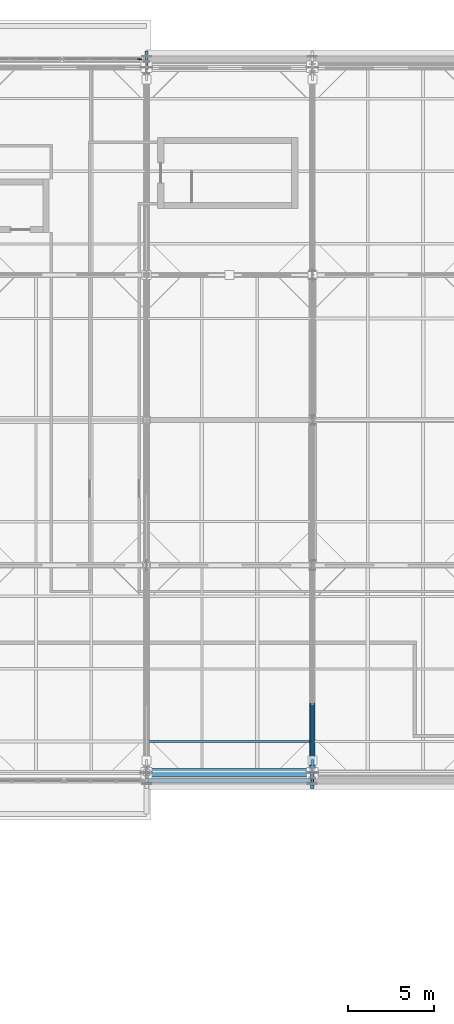
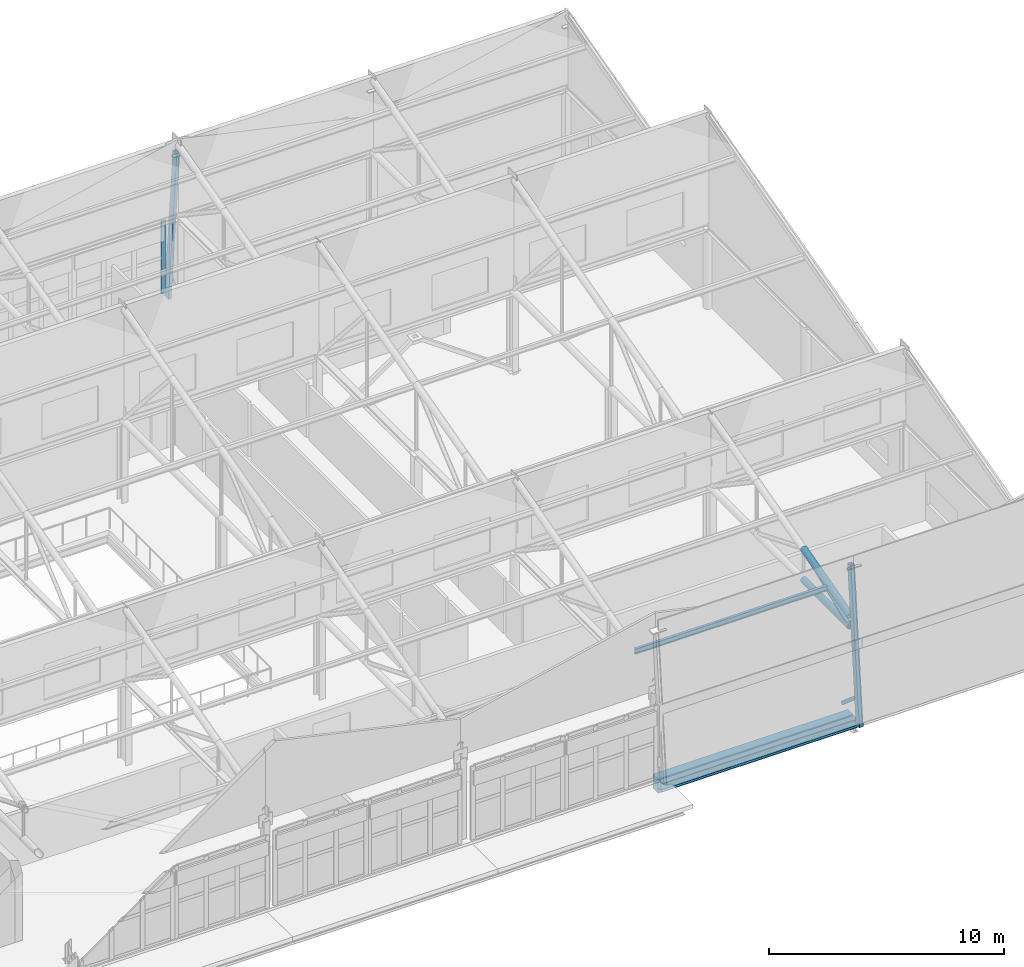
# One storey, part 44 of 89: 8 members, 2 beams, 1 element without a shape of its own.
"""IFC4 building model written with IfcOpenShell, lengths in metres."""

import ifcopenshell
import ifcopenshell.guid

model = None  # the IFC model being written
_history = None  # IfcOwnerHistory: only IFC2X3 demands one
_inside = {}  # id of a spatial element -> (the spatial element, [elements in it])
_under = {}  # id of a project, library or spatial element -> (it, [spatial elements below it])
_declared = {}  # id of a project -> (the project, [libraries it declares])
_typed = {}  # id of a type object -> (the type object, [elements of that type])
_made_of = {}  # id of a material, layer set ... -> (it, [elements and type objects made of it])


def new_model(schema):
    """Start an empty IFC model of exactly this schema.

    Asked for "IFC4X3", IfcOpenShell would pick the latest addendum, in which some entities
    have other attributes; the version numbers below select the first issue.
    IFC2X3 requires an IfcOwnerHistory on every rooted entity: one is made here for all.
    """
    global model, _history
    if schema == "IFC4X3":
        model = ifcopenshell.file(schema_version=(4, 3, 0, 0))
    else:
        model = ifcopenshell.file(schema=schema)
    _inside.clear()
    _under.clear()
    _declared.clear()
    _typed.clear()
    _made_of.clear()
    _history = None
    if model.schema == "IFC2X3":
        org = make("IfcOrganization", Name="unknown")
        user = make(
            "IfcPersonAndOrganization",
            ThePerson=make("IfcPerson", FamilyName="unknown"),
            TheOrganization=org,
        )
        app = make(
            "IfcApplication",
            ApplicationDeveloper=org,
            Version="unknown",
            ApplicationFullName="unknown",
            ApplicationIdentifier="unknown",
        )
        _history = make(
            "IfcOwnerHistory",
            OwningUser=user,
            OwningApplication=app,
            ChangeAction="ADDED",
            CreationDate=0,
        )
    return model


def make(cls, **values):
    """One entity of the class cls with the attributes given. An attribute that is None is left unset."""
    return model.create_entity(
        cls, **{name: value for name, value in values.items() if value is not None}
    )


def rooted(cls, **values):
    """An entity with a GlobalId (a new one), such as an element, a storey or a relation."""
    return make(cls, GlobalId=ifcopenshell.guid.new(), OwnerHistory=_history, **values)


def si_unit(unit_type, name, prefix=None):
    """IfcSIUnit, for example si_unit("LENGTHUNIT", "METRE", prefix="MILLI")."""
    return make("IfcSIUnit", UnitType=unit_type, Prefix=prefix, Name=name)


def assignment(units):
    """IfcUnitAssignment: the units of a project."""
    return None if units is None else make("IfcUnitAssignment", Units=units)


def point(xyz):
    """IfcCartesianPoint."""
    return None if xyz is None else make("IfcCartesianPoint", Coordinates=xyz)


def direction(xyz):
    """IfcDirection."""
    return None if xyz is None else make("IfcDirection", DirectionRatios=xyz)


def frame(location, z_axis=None, x_axis=None):
    """IfcAxis2Placement3D, a coordinate frame: its origin and axes. An axis left out is left unset."""
    return make(
        "IfcAxis2Placement3D",
        Location=point(location),
        Axis=direction(z_axis),
        RefDirection=direction(x_axis),
    )


def frame_2d(location, x_axis=None):
    """IfcAxis2Placement2D, a coordinate frame in the plane: its origin and x axis."""
    return make(
        "IfcAxis2Placement2D", Location=point(location), RefDirection=direction(x_axis)
    )


def origin():
    """The frame at (0, 0, 0) with its axes left unset."""
    return frame((0.0, 0.0, 0.0))


def origin_2d():
    """The frame at (0, 0) in the plane with its x axis left unset."""
    return frame_2d((0.0, 0.0))


def place(relative_to, where):
    """IfcLocalPlacement: puts the frame where relative to a parent placement (None: the world)."""
    return make(
        "IfcLocalPlacement", PlacementRelTo=relative_to, RelativePlacement=where
    )


def context(
    kind, dimensions, precision=None, world=None, true_north=None, identifier=None
):
    """IfcGeometricRepresentationContext, for example the 3D "Model" context."""
    return make(
        "IfcGeometricRepresentationContext",
        ContextIdentifier=identifier,
        ContextType=kind,
        CoordinateSpaceDimension=dimensions,
        Precision=precision,
        WorldCoordinateSystem=world,
        TrueNorth=true_north,
    )


def subcontext(parent, identifier, kind, view, scale=None):
    """IfcGeometricRepresentationSubContext, for example "Body" below "Model"."""
    return make(
        "IfcGeometricRepresentationSubContext",
        ContextIdentifier=identifier,
        ContextType=kind,
        ParentContext=parent,
        TargetScale=scale,
        TargetView=view,
    )


def project(units=None, contexts=None):
    """IfcProject with its units and contexts."""
    return rooted(
        "IfcProject",
        Name="project",
        RepresentationContexts=contexts,
        UnitsInContext=assignment(units),
    )


def spatial(cls, under=None, at=None, **own):
    """A site, building, storey or space (cls), placed at a placement, below another one or the project."""
    s = rooted(cls, ObjectPlacement=at, **own)
    if under is not None:
        _under.setdefault(under.id(), (under, []))[1].append(s)
    return s


def profile(cls, at=None, kind="AREA", **sizes):
    """A parametric profile (cls). Its sizes go by their IFC names, for example OverallWidth=200.0."""
    return make(cls, ProfileType=kind, Position=at, **sizes)


def rectangle(**sizes):
    """IfcRectangleProfileDef."""
    return profile("IfcRectangleProfileDef", **sizes)


def hollow_rectangle(**sizes):
    """IfcRectangleHollowProfileDef."""
    return profile("IfcRectangleHollowProfileDef", **sizes)


def hollow_circle(**sizes):
    """IfcCircleHollowProfileDef."""
    return profile("IfcCircleHollowProfileDef", **sizes)


def i_section(**sizes):
    """IfcIShapeProfileDef."""
    return profile("IfcIShapeProfileDef", **sizes)


def extrude(swept, where, along, depth):
    """IfcExtrudedAreaSolid: the profile swept, set in the frame where, extruded along a direction by depth."""
    return make(
        "IfcExtrudedAreaSolid",
        SweptArea=swept,
        Position=where,
        ExtrudedDirection=direction(along),
        Depth=depth,
    )


def shape(context_of_items, identifier, shape_type, items):
    """IfcShapeRepresentation: the items that make up one representation, for example the "Body"."""
    return make(
        "IfcShapeRepresentation",
        ContextOfItems=context_of_items,
        RepresentationIdentifier=identifier,
        RepresentationType=shape_type,
        Items=items,
    )


def material(Name=None, Category=None):
    """IfcMaterial."""
    return make("IfcMaterial", Name=Name, Category=Category)


def layer(
    of_material, thickness, ventilated=None, Name=None, Category=None, Priority=None
):
    """IfcMaterialLayer: one layer of a wall or slab, of a material (None: an air gap)."""
    return make(
        "IfcMaterialLayer",
        Material=of_material,
        LayerThickness=thickness,
        IsVentilated=ventilated,
        Name=Name,
        Category=Category,
        Priority=Priority,
    )


def layer_set(layers, Name=None):
    """IfcMaterialLayerSet."""
    return make("IfcMaterialLayerSet", MaterialLayers=layers, LayerSetName=Name)


def material_profile(
    of_material, cross_section, Name=None, Category=None, Priority=None
):
    """IfcMaterialProfile: a cross section and its material."""
    return make(
        "IfcMaterialProfile",
        Name=Name,
        Material=of_material,
        Profile=cross_section,
        Priority=Priority,
        Category=Category,
    )


def profile_set(profiles, Name=None, composite=None):
    """IfcMaterialProfileSet."""
    return make(
        "IfcMaterialProfileSet",
        Name=Name,
        MaterialProfiles=profiles,
        CompositeProfile=composite,
    )


def made_of(thing, what):
    """Note that an element or type object is made of a material, layer set ...; save() writes the relation."""
    if what is not None:
        _made_of.setdefault(what.id(), (what, []))[1].append(thing)
    return thing


def type_object(cls, material=None, **own):
    """A type object (cls), such as IfcWallType, which elements share."""
    return made_of(rooted(cls, **own), material)


def element(
    cls,
    number,
    at=None,
    inside=None,
    cuts=None,
    type_object=None,
    material=None,
    context=None,
    identifier="Body",
    shape_type=None,
    held_by="IfcProductDefinitionShape",
    body=None,
    shapes=None,
    **own,
):
    """One element of the class cls, such as IfcWall. Its Tag is "e" and its number.

    at: its placement. inside: the storey or other place that contains it. cuts: it is an
    opening in that element (IfcRelVoidsElement). A single representation is given by context,
    identifier, shape_type and body (its items); several are given by shapes. held_by: the class
    of the entity that holds the representations. save() writes the other relations.
    """
    e = rooted(cls, Tag="e%d" % number, ObjectPlacement=at, **own)
    if body is not None:
        shapes = [shape(context, identifier, shape_type, body)]
    if shapes is not None:
        e.Representation = make(held_by, Representations=shapes)
    if inside is not None:
        _inside.setdefault(inside.id(), (inside, []))[1].append(e)
    if cuts is not None:
        rooted(
            "IfcRelVoidsElement", RelatingBuildingElement=cuts, RelatedOpeningElement=e
        )
    if type_object is not None:
        _typed.setdefault(type_object.id(), (type_object, []))[1].append(e)
    return made_of(e, material)


def aggregate(whole, parts):
    """IfcRelAggregates: a whole, such as a stair, and the parts it consists of."""
    return rooted("IfcRelAggregates", RelatingObject=whole, RelatedObjects=parts)


def save(model, path):
    """Write the relations noted so far, then the file.

    IfcRelAggregates (storeys below a building ...), IfcRelContainedInSpatialStructure (elements
    in a storey), IfcRelDefinesByType, IfcRelAssociatesMaterial and IfcRelDeclares: one each for
    every whole, place, type object, material and project.
    """
    for whole, parts in _under.values():
        aggregate(whole, parts)
    for where, things in _inside.values():
        rooted(
            "IfcRelContainedInSpatialStructure",
            RelatedElements=things,
            RelatingStructure=where,
        )
    for kind, things in _typed.values():
        rooted("IfcRelDefinesByType", RelatedObjects=things, RelatingType=kind)
    for what, things in _made_of.values():
        rooted("IfcRelAssociatesMaterial", RelatedObjects=things, RelatingMaterial=what)
    for by, libraries in _declared.values():
        rooted("IfcRelDeclares", RelatingContext=by, RelatedDefinitions=libraries)
    model.write(path)


model = new_model("IFC4")

# Units and contexts
model_context = context("Model", 3, precision=1e-05, world=origin(), true_north=direction((0.0, 1.0)))
body_context = subcontext(model_context, "Body", "Model", "MODEL_VIEW")
ifc_project = project(units=[si_unit("LENGTHUNIT", "METRE"), si_unit("AREAUNIT", "SQUARE_METRE"), si_unit("VOLUMEUNIT", "CUBIC_METRE"), si_unit("PLANEANGLEUNIT", "RADIAN"), si_unit("MASSUNIT", "GRAM", prefix="KILO")], contexts=[model_context])

# Site, building, storey
site_placement = place(None, origin())
site = spatial("IfcSite", under=ifc_project, at=site_placement, CompositionType="ELEMENT")
building_placement = place(site_placement, origin())
building = spatial("IfcBuilding", under=site, at=building_placement, Name="Zereglee Splitstone Museum", CompositionType="ELEMENT")
storey_placement = place(building_placement, frame((0.0, 0.0, 21.300048828125)))
storey = spatial("IfcBuildingStorey", under=building, at=storey_placement, Name="L04", CompositionType="ELEMENT", Elevation=21.300048828125)

# Member
ifc_material_1 = material(Name="Steel S355J2H", Category="steel")
ifc_material_profile_1 = material_profile(ifc_material_1, hollow_circle(Radius=0.109619140625, WallThickness=0.010009765625, at=origin_2d()), Name="CHS 219.1x10")
ifc_profile_set_1 = profile_set([ifc_material_profile_1], Name="Steel S355J2H")
member_type_1 = type_object("IfcMemberType", Name="TB-03", PredefinedType="BRACE", material=ifc_profile_set_1)
member_1_placement = place(storey_placement, frame((135.60009765625, 9.60009765625, 4.199951171875), z_axis=(0.0, 0.927136001435, 0.374725012299), x_axis=(-1.0, 0.0, 0.0)))
element("IfcMember", 1, at=member_1_placement, inside=storey, type_object=member_type_1, Name="Roof Truss ST-07 Diagonal 1.1", PredefinedType="BRACE", context=body_context, shape_type="SweptSolid", body=[
    extrude(hollow_circle(Radius=0.109619140625, WallThickness=0.010009765625, at=origin_2d()), origin(), (0.0, 0.0, 1.0), 4.314453125),
])

# Curtain wall, member
ifc_material_2 = material(Name="Triple-glazed low-E argon glass and bronze-anodised aluminium", Category="aluminium")
ifc_layer = layer(ifc_material_2, 0.219970703125)
ifc_layer_set = layer_set([ifc_layer], Name="Triple-glazed low-E argon glass and bronze-anodised aluminium")
curtain_wall_type = type_object("IfcCurtainWallType", Name="CW-0449-378", PredefinedType="USERDEFINED", material=ifc_layer_set)
curtain_wall_placement = place(storey_placement, origin())
curtain_wall = element("IfcCurtainWall", 2, at=curtain_wall_placement, inside=storey, type_object=curtain_wall_type, Name="Glazed Curtain Wall CW-0449-378 (L04)", ObjectType="GLAZED CURTAIN WALL", PredefinedType="USERDEFINED")
ifc_material_3 = material(Name="Thermally broken bronze-anodised aluminium", Category="aluminium")
ifc_material_profile_2 = material_profile(ifc_material_3, rectangle(XDim=0.074951171875, YDim=0.219970703125, at=origin_2d()), Name="CW MULL 75x220")
ifc_profile_set_2 = profile_set([ifc_material_profile_2], Name="Thermally broken bronze-anodised aluminium")
member_type_2 = type_object("IfcMemberType", Name="CWM-02", PredefinedType="MULLION", material=ifc_profile_set_2)
member_2_placement = place(storey_placement, frame((125.6044921875, 50.8798828125, 0.0), z_axis=(0.0, 0.0, 1.0), x_axis=(0.0, -1.0, 0.0)))
member_2 = element("IfcMember", 3, at=member_2_placement, type_object=member_type_2, Name="CW-0449-378 mullion 1", PredefinedType="MULLION", context=body_context, shape_type="SweptSolid", body=[
    extrude(rectangle(XDim=0.074951171875, YDim=0.219970703125, at=origin_2d()), origin(), (0.0, 0.0, 1.0), 3.780029296875),
])
aggregate(curtain_wall, [member_2])

# Members
ifc_material_profile_3 = material_profile(ifc_material_1, hollow_circle(Radius=0.161865234375, WallThickness=0.01611328125, at=origin_2d()), Name="CHS 323.9x16")
ifc_profile_set_3 = profile_set([ifc_material_profile_3], Name="Steel S355J2H")
member_type_3 = type_object("IfcMemberType", Name="TC-05", PredefinedType="CHORD", material=ifc_profile_set_3)
member_3_placement = place(storey_placement, frame((135.60009765625, 9.60009765625, 4.199951171875), z_axis=(0.0, 1.0, 0.0), x_axis=(-1.0, 0.0, 0.0)))
element("IfcMember", 4, at=member_3_placement, inside=storey, type_object=member_type_3, Name="Roof Truss ST-07 Bottom Chord 1.1", PredefinedType="CHORD", context=body_context, shape_type="SweptSolid", body=[
    extrude(hollow_circle(Radius=0.161865234375, WallThickness=0.01611328125, at=origin_2d()), origin(), (0.0, 0.0, 1.0), 4.0),
])
member_4_placement = place(storey_placement, frame((135.60009765625, 9.60009765625, 4.75), z_axis=(0.0, 0.966235918422, 0.257658979955), x_axis=(-1.0, 0.0, 0.0)))
element("IfcMember", 5, at=member_4_placement, inside=storey, type_object=member_type_3, Name="Roof Truss ST-07 Top Chord 1.1", PredefinedType="CHORD", context=body_context, shape_type="SweptSolid", body=[
    extrude(hollow_circle(Radius=0.161865234375, WallThickness=0.01611328125, at=origin_2d()), origin(), (0.0, 0.0, 1.0), 4.139892578125),
])
ifc_material_4 = material(Name="Steel S355J2", Category="steel")
ifc_material_profile_4 = material_profile(ifc_material_4, i_section(OverallWidth=0.135009765625, OverallDepth=0.27001953125, WebThickness=0.006591796875, FlangeThickness=0.01025390625, FilletRadius=0.014892578125, at=origin_2d()), Name="IPE 270")
ifc_profile_set_4 = profile_set([ifc_material_profile_4], Name="Steel S355J2")
member_type_4 = type_object("IfcMemberType", Name="PR-02", PredefinedType="PURLIN", material=ifc_profile_set_4)
member_5_placement = place(storey_placement, frame((126.0, 11.39990234375, 5.168701171875), z_axis=(1.0, 0.0, 0.0), x_axis=(0.0, 1.0, 0.0)))
element("IfcMember", 6, at=member_5_placement, inside=storey, type_object=member_type_4, Name="Sawtooth Roof Purlin B6-S1-1", PredefinedType="PURLIN", context=body_context, shape_type="SweptSolid", body=[
    extrude(i_section(OverallWidth=0.135009765625, OverallDepth=0.27001953125, WebThickness=0.006591796875, FlangeThickness=0.01025390625, FilletRadius=0.014892578125, at=origin_2d()), origin(), (0.0, 0.0, 1.0), 9.60009765625),
])

# Beams
ifc_material_profile_5 = material_profile(ifc_material_4, i_section(OverallWidth=0.300048828125, OverallDepth=0.449951171875, WebThickness=0.013916015625, FlangeThickness=0.02587890625, FilletRadius=0.027099609375, at=origin_2d()), Name="HE 450 B")
ifc_profile_set_5 = profile_set([ifc_material_profile_5], Name="Steel S355J2")
beam_type_1 = type_object("IfcBeamType", Name="SP-02", PredefinedType="SPANDREL", material=ifc_profile_set_5)
beam_1_placement = place(storey_placement, frame((126.0, 9.14990234375, -0.485107421875), z_axis=(1.0, 0.0, 0.0), x_axis=(0.0, 1.0, 0.0)))
element("IfcBeam", 7, at=beam_1_placement, inside=storey, type_object=beam_type_1, Name="Hovering Soffit Spandrel L04 (126.0-135.6)", PredefinedType="SPANDREL", context=body_context, shape_type="SweptSolid", body=[
    extrude(i_section(OverallWidth=0.300048828125, OverallDepth=0.449951171875, WebThickness=0.013916015625, FlangeThickness=0.02587890625, FilletRadius=0.027099609375, at=origin_2d()), origin(), (0.0, 0.0, 1.0), 9.60009765625),
])
ifc_material_5 = material(Name="Concrete C40/50", Category="concrete")
ifc_material_profile_6 = material_profile(ifc_material_5, rectangle(XDim=0.449951171875, YDim=0.75, at=origin_2d()), Name="RC 450x750")
ifc_profile_set_6 = profile_set([ifc_material_profile_6], Name="Concrete C40/50")
beam_type_2 = type_object("IfcBeamType", Name="SP-01", PredefinedType="SPANDREL", material=ifc_profile_set_6)
beam_2_placement = place(storey_placement, frame((126.0, 9.60009765625, -0.635009765625), z_axis=(1.0, 0.0, 0.0), x_axis=(0.0, 1.0, 0.0)))
element("IfcBeam", 8, at=beam_2_placement, inside=storey, type_object=beam_type_2, Name="Primary Girder L04 B (126.0-135.6)", PredefinedType="SPANDREL", context=body_context, shape_type="SweptSolid", body=[
    extrude(rectangle(XDim=0.449951171875, YDim=0.75, at=origin_2d()), origin(), (0.0, 0.0, 1.0), 9.60009765625),
])

# Members
ifc_material_profile_7 = material_profile(ifc_material_1, hollow_rectangle(XDim=0.199951171875, YDim=0.300048828125, WallThickness=0.012451171875, at=origin_2d()), Name="RHS 300x200x12.5")
ifc_profile_set_7 = profile_set([ifc_material_profile_7], Name="Steel S355J2H")
member_type_5 = type_object("IfcMemberType", Name="FS-R1", PredefinedType="STRUT", material=ifc_profile_set_7)
member_6_placement = place(storey_placement, frame((135.60009765625, 8.8232421875, -0.510009765625), z_axis=(0.0, 0.090892411904, 0.995860717901), x_axis=(-1.0, 0.0, 0.0)))
element("IfcMember", 9, at=member_6_placement, inside=storey, type_object=member_type_5, Name="Split-Rock Continuous Facet Strut FH-V2SE L04-02", PredefinedType="STRUT", context=body_context, shape_type="SweptSolid", body=[
    extrude(hollow_rectangle(XDim=0.199951171875, YDim=0.300048828125, WallThickness=0.012451171875, at=origin_2d()), origin(), (0.0, 0.0, 1.0), 8.023193359375),
])
ifc_material_profile_8 = material_profile(ifc_material_1, hollow_rectangle(XDim=0.14990234375, YDim=0.35009765625, WallThickness=0.012451171875, at=origin_2d()), Name="RHS 350x150x12.5")
ifc_profile_set_8 = profile_set([ifc_material_profile_8], Name="Steel S355J2H")
member_type_6 = type_object("IfcMemberType", Name="FS-R0", PredefinedType="STRUT", material=ifc_profile_set_8)
member_7_placement = place(storey_placement, frame((126.0, 51.1767578125, -0.510009765625), z_axis=(0.0, -0.090892411904, 0.995860717901), x_axis=(1.0, 0.0, 0.0)))
element("IfcMember", 10, at=member_7_placement, inside=storey, type_object=member_type_6, Name="Split-Rock Continuous Facet Strut FH-V2NE L04-01", PredefinedType="STRUT", context=body_context, shape_type="SweptSolid", body=[
    extrude(hollow_rectangle(XDim=0.14990234375, YDim=0.35009765625, WallThickness=0.012451171875, at=origin_2d()), origin(), (0.0, 0.0, 1.0), 8.023193359375),
])
ifc_material_profile_9 = material_profile(ifc_material_1, hollow_rectangle(XDim=0.10009765625, YDim=0.179931640625, WallThickness=0.008056640625, at=origin_2d()), Name="RHS 180x100x8")
ifc_profile_set_9 = profile_set([ifc_material_profile_9], Name="Steel S355J2H")
member_type_7 = type_object("IfcMemberType", Name="FS-T2", PredefinedType="STRUT", material=ifc_profile_set_9)
member_8_placement = place(storey_placement, frame((135.60009765625, 10.300048828125, -0.219970703125), z_axis=(0.0, -0.757166062891, 0.65322243777), x_axis=(1.0, 0.0, 0.0)))
element("IfcMember", 11, at=member_8_placement, inside=storey, type_object=member_type_7, Name="Facet Tie-Back Strut FH-V2SE L04-02", PredefinedType="STRUT", context=body_context, shape_type="SweptSolid", body=[
    extrude(hollow_rectangle(XDim=0.10009765625, YDim=0.179931640625, WallThickness=0.008056640625, at=origin_2d()), origin(), (0.0, 0.0, 1.0), 1.775634765625),
])

save(model, "model.ifc")
